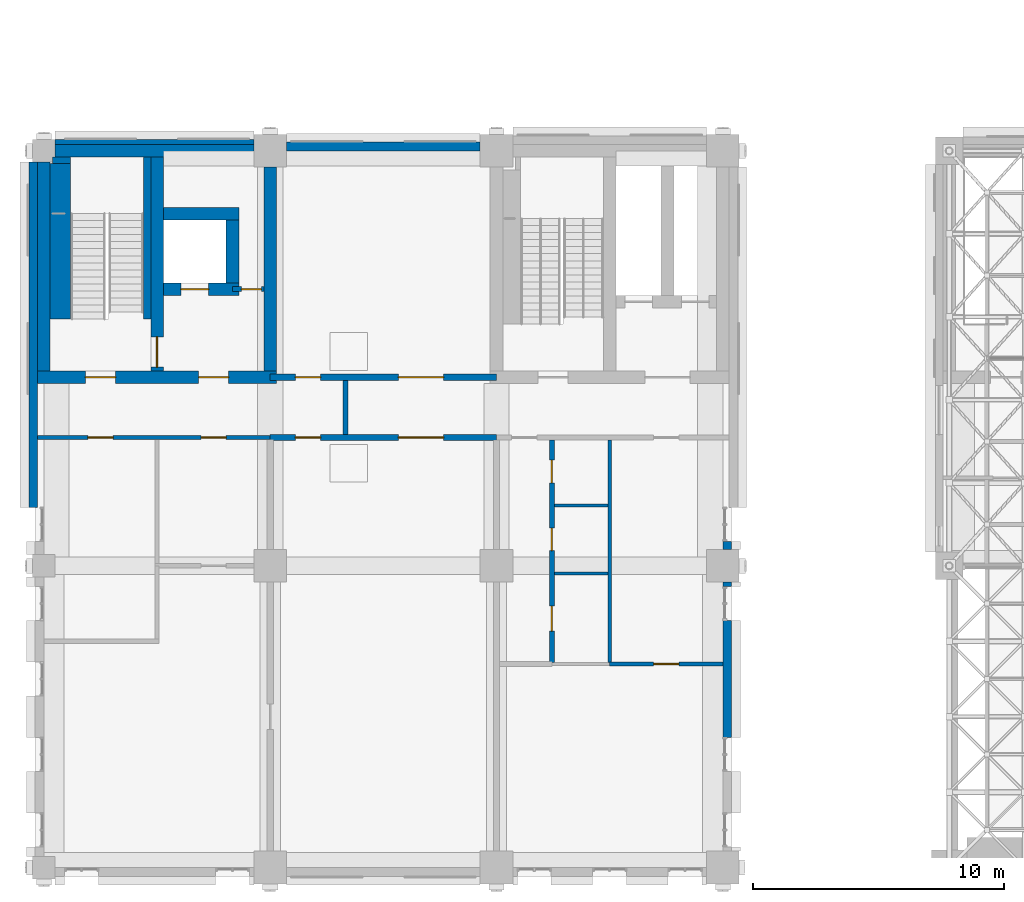
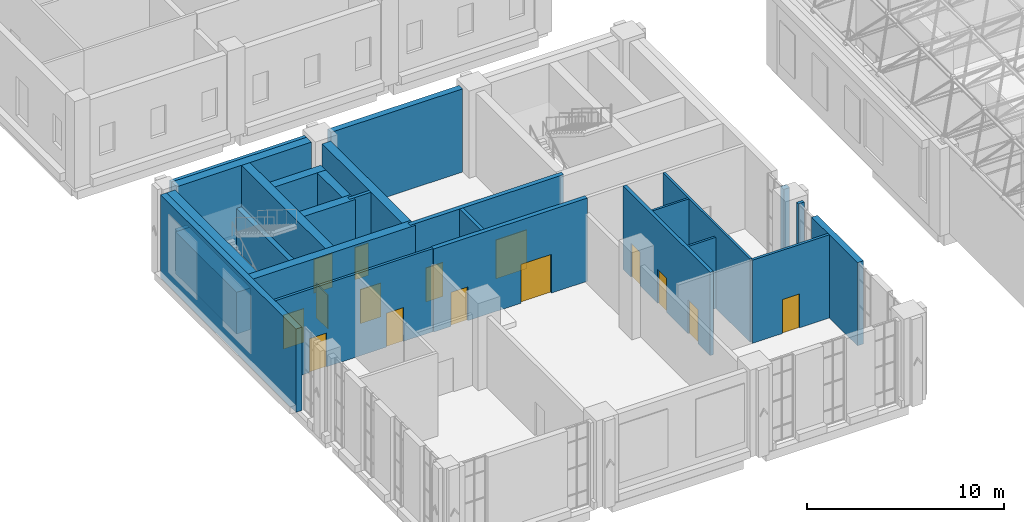
# One storey, part 26 of 53: 27 walls, 15 doors, 15 openings.
"""IFC4 building model written with IfcOpenShell, lengths in metres."""

import ifcopenshell
import ifcopenshell.guid

model = None  # the IFC model being written
_history = None  # IfcOwnerHistory: only IFC2X3 demands one
_inside = {}  # id of a spatial element -> (the spatial element, [elements in it])
_under = {}  # id of a project, library or spatial element -> (it, [spatial elements below it])
_declared = {}  # id of a project -> (the project, [libraries it declares])
_typed = {}  # id of a type object -> (the type object, [elements of that type])
_made_of = {}  # id of a material, layer set ... -> (it, [elements and type objects made of it])


def new_model(schema):
    """Start an empty IFC model of exactly this schema.

    Asked for "IFC4X3", IfcOpenShell would pick the latest addendum, in which some entities
    have other attributes; the version numbers below select the first issue.
    IFC2X3 requires an IfcOwnerHistory on every rooted entity: one is made here for all.
    """
    global model, _history
    if schema == "IFC4X3":
        model = ifcopenshell.file(schema_version=(4, 3, 0, 0))
    else:
        model = ifcopenshell.file(schema=schema)
    _inside.clear()
    _under.clear()
    _declared.clear()
    _typed.clear()
    _made_of.clear()
    _history = None
    if model.schema == "IFC2X3":
        org = make("IfcOrganization", Name="unknown")
        user = make(
            "IfcPersonAndOrganization",
            ThePerson=make("IfcPerson", FamilyName="unknown"),
            TheOrganization=org,
        )
        app = make(
            "IfcApplication",
            ApplicationDeveloper=org,
            Version="unknown",
            ApplicationFullName="unknown",
            ApplicationIdentifier="unknown",
        )
        _history = make(
            "IfcOwnerHistory",
            OwningUser=user,
            OwningApplication=app,
            ChangeAction="ADDED",
            CreationDate=0,
        )
    return model


def make(cls, **values):
    """One entity of the class cls with the attributes given. An attribute that is None is left unset."""
    return model.create_entity(
        cls, **{name: value for name, value in values.items() if value is not None}
    )


def rooted(cls, **values):
    """An entity with a GlobalId (a new one), such as an element, a storey or a relation."""
    return make(cls, GlobalId=ifcopenshell.guid.new(), OwnerHistory=_history, **values)


def si_unit(unit_type, name, prefix=None):
    """IfcSIUnit, for example si_unit("LENGTHUNIT", "METRE", prefix="MILLI")."""
    return make("IfcSIUnit", UnitType=unit_type, Prefix=prefix, Name=name)


def assignment(units):
    """IfcUnitAssignment: the units of a project."""
    return None if units is None else make("IfcUnitAssignment", Units=units)


def point(xyz):
    """IfcCartesianPoint."""
    return None if xyz is None else make("IfcCartesianPoint", Coordinates=xyz)


def direction(xyz):
    """IfcDirection."""
    return None if xyz is None else make("IfcDirection", DirectionRatios=xyz)


def frame(location, z_axis=None, x_axis=None):
    """IfcAxis2Placement3D, a coordinate frame: its origin and axes. An axis left out is left unset."""
    return make(
        "IfcAxis2Placement3D",
        Location=point(location),
        Axis=direction(z_axis),
        RefDirection=direction(x_axis),
    )


def frame_2d(location, x_axis=None):
    """IfcAxis2Placement2D, a coordinate frame in the plane: its origin and x axis."""
    return make(
        "IfcAxis2Placement2D", Location=point(location), RefDirection=direction(x_axis)
    )


def origin():
    """The frame at (0, 0, 0) with its axes left unset."""
    return frame((0.0, 0.0, 0.0))


def place(relative_to, where):
    """IfcLocalPlacement: puts the frame where relative to a parent placement (None: the world)."""
    return make(
        "IfcLocalPlacement", PlacementRelTo=relative_to, RelativePlacement=where
    )


def context(
    kind, dimensions, precision=None, world=None, true_north=None, identifier=None
):
    """IfcGeometricRepresentationContext, for example the 3D "Model" context."""
    return make(
        "IfcGeometricRepresentationContext",
        ContextIdentifier=identifier,
        ContextType=kind,
        CoordinateSpaceDimension=dimensions,
        Precision=precision,
        WorldCoordinateSystem=world,
        TrueNorth=true_north,
    )


def subcontext(parent, identifier, kind, view, scale=None):
    """IfcGeometricRepresentationSubContext, for example "Body" below "Model"."""
    return make(
        "IfcGeometricRepresentationSubContext",
        ContextIdentifier=identifier,
        ContextType=kind,
        ParentContext=parent,
        TargetScale=scale,
        TargetView=view,
    )


def project(units=None, contexts=None):
    """IfcProject with its units and contexts."""
    return rooted(
        "IfcProject",
        Name="project",
        RepresentationContexts=contexts,
        UnitsInContext=assignment(units),
    )


def spatial(cls, under=None, at=None, **own):
    """A site, building, storey or space (cls), placed at a placement, below another one or the project."""
    s = rooted(cls, ObjectPlacement=at, **own)
    if under is not None:
        _under.setdefault(under.id(), (under, []))[1].append(s)
    return s


def profile(cls, at=None, kind="AREA", **sizes):
    """A parametric profile (cls). Its sizes go by their IFC names, for example OverallWidth=200.0."""
    return make(cls, ProfileType=kind, Position=at, **sizes)


def rectangle(**sizes):
    """IfcRectangleProfileDef."""
    return profile("IfcRectangleProfileDef", **sizes)


def extrude(swept, where, along, depth):
    """IfcExtrudedAreaSolid: the profile swept, set in the frame where, extruded along a direction by depth."""
    return make(
        "IfcExtrudedAreaSolid",
        SweptArea=swept,
        Position=where,
        ExtrudedDirection=direction(along),
        Depth=depth,
    )


def shape(context_of_items, identifier, shape_type, items):
    """IfcShapeRepresentation: the items that make up one representation, for example the "Body"."""
    return make(
        "IfcShapeRepresentation",
        ContextOfItems=context_of_items,
        RepresentationIdentifier=identifier,
        RepresentationType=shape_type,
        Items=items,
    )


def material(Name=None, Category=None):
    """IfcMaterial."""
    return make("IfcMaterial", Name=Name, Category=Category)


def layer(
    of_material, thickness, ventilated=None, Name=None, Category=None, Priority=None
):
    """IfcMaterialLayer: one layer of a wall or slab, of a material (None: an air gap)."""
    return make(
        "IfcMaterialLayer",
        Material=of_material,
        LayerThickness=thickness,
        IsVentilated=ventilated,
        Name=Name,
        Category=Category,
        Priority=Priority,
    )


def layer_set(layers, Name=None):
    """IfcMaterialLayerSet."""
    return make("IfcMaterialLayerSet", MaterialLayers=layers, LayerSetName=Name)


def made_of(thing, what):
    """Note that an element or type object is made of a material, layer set ...; save() writes the relation."""
    if what is not None:
        _made_of.setdefault(what.id(), (what, []))[1].append(thing)
    return thing


def type_object(cls, material=None, **own):
    """A type object (cls), such as IfcWallType, which elements share."""
    return made_of(rooted(cls, **own), material)


def element(
    cls,
    number,
    at=None,
    inside=None,
    cuts=None,
    type_object=None,
    material=None,
    context=None,
    identifier="Body",
    shape_type=None,
    held_by="IfcProductDefinitionShape",
    body=None,
    shapes=None,
    **own,
):
    """One element of the class cls, such as IfcWall. Its Tag is "e" and its number.

    at: its placement. inside: the storey or other place that contains it. cuts: it is an
    opening in that element (IfcRelVoidsElement). A single representation is given by context,
    identifier, shape_type and body (its items); several are given by shapes. held_by: the class
    of the entity that holds the representations. save() writes the other relations.
    """
    e = rooted(cls, Tag="e%d" % number, ObjectPlacement=at, **own)
    if body is not None:
        shapes = [shape(context, identifier, shape_type, body)]
    if shapes is not None:
        e.Representation = make(held_by, Representations=shapes)
    if inside is not None:
        _inside.setdefault(inside.id(), (inside, []))[1].append(e)
    if cuts is not None:
        rooted(
            "IfcRelVoidsElement", RelatingBuildingElement=cuts, RelatedOpeningElement=e
        )
    if type_object is not None:
        _typed.setdefault(type_object.id(), (type_object, []))[1].append(e)
    return made_of(e, material)


def fill(opening, filler):
    """IfcRelFillsElement: the door or window that sits in an opening."""
    return rooted(
        "IfcRelFillsElement",
        RelatingOpeningElement=opening,
        RelatedBuildingElement=filler,
    )


def aggregate(whole, parts):
    """IfcRelAggregates: a whole, such as a stair, and the parts it consists of."""
    return rooted("IfcRelAggregates", RelatingObject=whole, RelatedObjects=parts)


def save(model, path):
    """Write the relations noted so far, then the file.

    IfcRelAggregates (storeys below a building ...), IfcRelContainedInSpatialStructure (elements
    in a storey), IfcRelDefinesByType, IfcRelAssociatesMaterial and IfcRelDeclares: one each for
    every whole, place, type object, material and project.
    """
    for whole, parts in _under.values():
        aggregate(whole, parts)
    for where, things in _inside.values():
        rooted(
            "IfcRelContainedInSpatialStructure",
            RelatedElements=things,
            RelatingStructure=where,
        )
    for kind, things in _typed.values():
        rooted("IfcRelDefinesByType", RelatedObjects=things, RelatingType=kind)
    for what, things in _made_of.values():
        rooted("IfcRelAssociatesMaterial", RelatedObjects=things, RelatingMaterial=what)
    for by, libraries in _declared.values():
        rooted("IfcRelDeclares", RelatingContext=by, RelatedDefinitions=libraries)
    model.write(path)


model = new_model("IFC4")

# Units and contexts
model_context = context("Model", 3, precision=1e-05, world=origin(), true_north=direction((0.0, 1.0)))
body_context = subcontext(model_context, "Body", "Model", "MODEL_VIEW")
ifc_project = project(units=[si_unit("LENGTHUNIT", "METRE"), si_unit("AREAUNIT", "SQUARE_METRE"), si_unit("VOLUMEUNIT", "CUBIC_METRE"), si_unit("PLANEANGLEUNIT", "RADIAN"), si_unit("MASSUNIT", "GRAM", prefix="KILO")], contexts=[model_context])

# Site, building, storey
site_placement = place(None, origin())
site = spatial("IfcSite", under=ifc_project, at=site_placement, CompositionType="ELEMENT")
building_placement = place(site_placement, origin())
building = spatial("IfcBuilding", under=site, at=building_placement, Name="Aurelan Courthouse", CompositionType="ELEMENT")
storey_placement = place(building_placement, frame((0.0, 0.0, 12.0)))
storey = spatial("IfcBuildingStorey", under=building, at=storey_placement, Name="L02", CompositionType="ELEMENT", Elevation=12.0)

# Wall, openings, doors
ifc_material_1 = material(Name="Gypsum board on metal studs")
ifc_layer_1 = layer(ifc_material_1, 0.14990234375)
ifc_layer_set_1 = layer_set([ifc_layer_1], Name="Gypsum board on metal studs")
wall_type_1 = type_object("IfcWallType", Name="Corridor partition 150 EI 60", PredefinedType="PARTITIONING", material=ifc_layer_set_1)
wall_1_placement = place(storey_placement, frame((-0.25, 17.10009765625, 0.0), z_axis=(0.0, 0.0, 1.0), x_axis=(1.0, 0.0, 0.0)))
wall_1 = element("IfcWall", 1, at=wall_1_placement, inside=storey, type_object=wall_type_1, Name="Corridor partition L02-010", PredefinedType="PARTITIONING", context=body_context, shape_type="SweptSolid", body=[
    extrude(rectangle(XDim=9.25, YDim=0.14990234375, at=frame_2d((4.625, 0.0))), origin(), (0.0, 0.0, 1.0), 5.14990234375),
])
opening_1_placement = place(wall_1_placement, frame((3.0, 0.0, 0.0), z_axis=(0.0, 0.0, 1.0), x_axis=(-1.0, 0.0, 0.0)))
opening_1 = element("IfcOpeningElement", 2, at=opening_1_placement, cuts=wall_1, Name="Opening D-L02-063", PredefinedType="OPENING", context=body_context, shape_type="SweptSolid", body=[
    extrude(rectangle(XDim=1.0, YDim=2.10009765625, at=frame_2d((0.5, 1.050048828125))), frame((0.0, 0.0849609375, 0.0), z_axis=(0.0, -1.0, 0.0), x_axis=(1.0, 0.0, 0.0)), (0.0, 0.0, 1.0), 0.169921875),
])
opening_2_placement = place(wall_1_placement, frame((7.5, 0.0, 0.0), z_axis=(0.0, 0.0, 1.0), x_axis=(-1.0, 0.0, 0.0)))
opening_2 = element("IfcOpeningElement", 3, at=opening_2_placement, cuts=wall_1, Name="Opening D-L02-064", PredefinedType="OPENING", context=body_context, shape_type="SweptSolid", body=[
    extrude(rectangle(XDim=1.0, YDim=2.10009765625, at=frame_2d((0.5, 1.050048828125))), frame((0.0, 0.0849609375, 0.0), z_axis=(0.0, -1.0, 0.0), x_axis=(1.0, 0.0, 0.0)), (0.0, 0.0, 1.0), 0.169921875),
])
ifc_material_2 = material(Name="Steel", Category="steel")
door_type_1 = type_object("IfcDoorType", Name="Single door 1000 x 2100 FD60", OperationType="SINGLE_SWING_LEFT", PredefinedType="DOOR", material=ifc_material_2)
door_1_placement = place(opening_1_placement, origin())
door_1 = element("IfcDoor", 4, at=door_1_placement, inside=storey, type_object=door_type_1, Name="Single door D-L02-063", OperationType="SINGLE_SWING_LEFT", OverallHeight=2.10009765625, OverallWidth=1.0, PredefinedType="DOOR", context=body_context, shape_type="SweptSolid", body=[
    extrude(rectangle(XDim=1.0, YDim=2.10009765625, at=frame_2d((0.5, 1.050048828125))), frame((0.0, 0.02490234375, 0.0), z_axis=(0.0, -1.0, 0.0), x_axis=(1.0, 0.0, 0.0)), (0.0, 0.0, 1.0), 0.050048828125),
])
fill(opening_1, door_1)
door_2_placement = place(opening_2_placement, origin())
door_2 = element("IfcDoor", 5, at=door_2_placement, inside=storey, type_object=door_type_1, Name="Single door D-L02-064", OperationType="SINGLE_SWING_RIGHT", OverallHeight=2.10009765625, OverallWidth=1.0, PredefinedType="DOOR", context=body_context, shape_type="SweptSolid", body=[
    extrude(rectangle(XDim=1.0, YDim=2.10009765625, at=frame_2d((0.5, 1.050048828125))), frame((0.0, 0.02490234375, 0.0), z_axis=(0.0, -1.0, 0.0), x_axis=(1.0, 0.0, 0.0)), (0.0, 0.0, 1.0), 0.050048828125),
])
fill(opening_2, door_2)

ifc_material_3 = material(Name="Masonry block", Category="masonry")
ifc_layer_2 = layer(ifc_material_3, 0.25)
ifc_layer_set_2 = layer_set([ifc_layer_2], Name="Masonry block")
wall_type_2 = type_object("IfcWallType", Name="Courtroom wall 250 EI 60", PredefinedType="PARTITIONING", material=ifc_layer_set_2)
wall_2_placement = place(storey_placement, frame((9.0, 17.10009765625, 0.0), z_axis=(0.0, 0.0, 1.0), x_axis=(1.0, 0.0, 0.0)))
wall_2 = element("IfcWall", 6, at=wall_2_placement, inside=storey, type_object=wall_type_2, Name="Courtroom wall L02-011", PredefinedType="PARTITIONING", context=body_context, shape_type="SweptSolid", body=[
    extrude(rectangle(XDim=9.0, YDim=0.25, at=frame_2d((4.5, 0.0))), origin(), (0.0, 0.0, 1.0), 5.14990234375),
])
opening_3_placement = place(wall_2_placement, frame((6.900146484375, 0.0, 0.0), z_axis=(0.0, 0.0, 1.0), x_axis=(-1.0, 0.0, 0.0)))
opening_3 = element("IfcOpeningElement", 7, at=opening_3_placement, cuts=wall_2, Name="Opening D-L02-059", PredefinedType="OPENING", context=body_context, shape_type="SweptSolid", body=[
    extrude(rectangle(XDim=1.800048828125, YDim=2.39990234375, at=frame_2d((0.89990234375, 1.199951171875))), frame((0.0, 0.135009765625, 0.0), z_axis=(0.0, -1.0, 0.0), x_axis=(1.0, 0.0, 0.0)), (0.0, 0.0, 1.0), 0.27001953125),
])
opening_4_placement = place(wall_2_placement, frame((2.0, 0.0, 0.0), z_axis=(0.0, 0.0, 1.0), x_axis=(-1.0, 0.0, 0.0)))
opening_4 = element("IfcOpeningElement", 8, at=opening_4_placement, cuts=wall_2, Name="Opening D-L02-060", PredefinedType="OPENING", context=body_context, shape_type="SweptSolid", body=[
    extrude(rectangle(XDim=1.0, YDim=2.10009765625, at=frame_2d((0.5, 1.050048828125))), frame((0.0, 0.135009765625, 0.0), z_axis=(0.0, -1.0, 0.0), x_axis=(1.0, 0.0, 0.0)), (0.0, 0.0, 1.0), 0.27001953125),
])
door_type_2 = type_object("IfcDoorType", Name="Double door 1800 x 2400 FD30", OperationType="DOUBLE_DOOR_SINGLE_SWING", PredefinedType="DOOR", material=ifc_material_2)
door_3_placement = place(opening_3_placement, origin())
door_3 = element("IfcDoor", 9, at=door_3_placement, inside=storey, type_object=door_type_2, Name="Double door D-L02-059", OperationType="DOUBLE_DOOR_SINGLE_SWING", OverallHeight=2.39990234375, OverallWidth=1.800048828125, PredefinedType="DOOR", context=body_context, shape_type="SweptSolid", body=[
    extrude(rectangle(XDim=1.800048828125, YDim=2.39990234375, at=frame_2d((0.89990234375, 1.199951171875))), frame((0.0, 0.02490234375, 0.0), z_axis=(0.0, -1.0, 0.0), x_axis=(1.0, 0.0, 0.0)), (0.0, 0.0, 1.0), 0.050048828125),
])
fill(opening_3, door_3)
door_type_3 = type_object("IfcDoorType", Name="Single door 1000 x 2100 FD30", OperationType="SINGLE_SWING_LEFT", PredefinedType="DOOR", material=ifc_material_2)
door_4_placement = place(opening_4_placement, origin())
door_4 = element("IfcDoor", 10, at=door_4_placement, inside=storey, type_object=door_type_3, Name="Single door D-L02-060", OperationType="SINGLE_SWING_RIGHT", OverallHeight=2.10009765625, OverallWidth=1.0, PredefinedType="DOOR", context=body_context, shape_type="SweptSolid", body=[
    extrude(rectangle(XDim=1.0, YDim=2.10009765625, at=frame_2d((0.5, 1.050048828125))), frame((0.0, 0.02490234375, 0.0), z_axis=(0.0, -1.0, 0.0), x_axis=(1.0, 0.0, 0.0)), (0.0, 0.0, 1.0), 0.050048828125),
])
fill(opening_4, door_4)

wall_3_placement = place(storey_placement, frame((9.0, 19.5, 0.0), z_axis=(0.0, 0.0, 1.0), x_axis=(1.0, 0.0, 0.0)))
wall_3 = element("IfcWall", 11, at=wall_3_placement, inside=storey, type_object=wall_type_2, Name="Courtroom wall L02-013", PredefinedType="PARTITIONING", context=body_context, shape_type="SweptSolid", body=[
    extrude(rectangle(XDim=9.0, YDim=0.25, at=frame_2d((4.5, 0.0))), origin(), (0.0, 0.0, 1.0), 5.14990234375),
])
opening_5_placement = place(wall_3_placement, frame((5.10009765625, 0.0, 0.0)))
opening_5 = element("IfcOpeningElement", 12, at=opening_5_placement, cuts=wall_3, Name="Opening D-L02-061", PredefinedType="OPENING", context=body_context, shape_type="SweptSolid", body=[
    extrude(rectangle(XDim=1.800048828125, YDim=2.39990234375, at=frame_2d((0.89990234375, 1.199951171875))), frame((0.0, 0.135009765625, 0.0), z_axis=(0.0, -1.0, 0.0), x_axis=(1.0, 0.0, 0.0)), (0.0, 0.0, 1.0), 0.27001953125),
])
opening_6_placement = place(wall_3_placement, frame((1.0, 0.0, 0.0)))
opening_6 = element("IfcOpeningElement", 13, at=opening_6_placement, cuts=wall_3, Name="Opening D-L02-062", PredefinedType="OPENING", context=body_context, shape_type="SweptSolid", body=[
    extrude(rectangle(XDim=1.0, YDim=2.10009765625, at=frame_2d((0.5, 1.050048828125))), frame((0.0, 0.135009765625, 0.0), z_axis=(0.0, -1.0, 0.0), x_axis=(1.0, 0.0, 0.0)), (0.0, 0.0, 1.0), 0.27001953125),
])
door_5_placement = place(opening_5_placement, origin())
door_5 = element("IfcDoor", 14, at=door_5_placement, inside=storey, type_object=door_type_2, Name="Double door D-L02-061", OperationType="DOUBLE_DOOR_SINGLE_SWING", OverallHeight=2.39990234375, OverallWidth=1.800048828125, PredefinedType="DOOR", context=body_context, shape_type="SweptSolid", body=[
    extrude(rectangle(XDim=1.800048828125, YDim=2.39990234375, at=frame_2d((0.89990234375, 1.199951171875))), frame((0.0, 0.02490234375, 0.0), z_axis=(0.0, -1.0, 0.0), x_axis=(1.0, 0.0, 0.0)), (0.0, 0.0, 1.0), 0.050048828125),
])
fill(opening_5, door_5)
door_6_placement = place(opening_6_placement, origin())
door_6 = element("IfcDoor", 15, at=door_6_placement, inside=storey, type_object=door_type_3, Name="Single door D-L02-062", OperationType="SINGLE_SWING_LEFT", OverallHeight=2.10009765625, OverallWidth=1.0, PredefinedType="DOOR", context=body_context, shape_type="SweptSolid", body=[
    extrude(rectangle(XDim=1.0, YDim=2.10009765625, at=frame_2d((0.5, 1.050048828125))), frame((0.0, 0.02490234375, 0.0), z_axis=(0.0, -1.0, 0.0), x_axis=(1.0, 0.0, 0.0)), (0.0, 0.0, 1.0), 0.050048828125),
])
fill(opening_6, door_6)

# Walls
ifc_material_4 = material(Name="Limestone cladding", Category="masonry")
ifc_layer_3 = layer(ifc_material_4, 0.054931640625, Name="Facing")
ifc_material_5 = material(Name="Ventilated cavity")
ifc_layer_4 = layer(ifc_material_5, 0.02490234375, ventilated=True, Name="Ventilated cavity")
ifc_material_6 = material(Name="Mineral wool insulation")
ifc_layer_5 = layer(ifc_material_6, 0.030029296875, Name="Insulation")
ifc_material_7 = material(Name="Concrete C30", Category="concrete")
ifc_layer_6 = layer(ifc_material_7, 0.090087890625, Name="Structure")
ifc_layer_set_3 = layer_set([ifc_layer_3, ifc_layer_4, ifc_layer_5, ifc_layer_6], Name="Concrete C30")
wall_type_3 = type_object("IfcWallType", Name="Courts' Floors stone-faced wall 200", PredefinedType="SOLIDWALL", material=ifc_layer_set_3)
wall_4_placement = place(storey_placement, frame((0.449951171875, 28.85009765625, 0.0), z_axis=(0.0, 0.0, 1.0), x_axis=(1.0, 0.0, 0.0)))
element("IfcWall", 16, at=wall_4_placement, inside=storey, type_object=wall_type_3, Name="Facade wall FW-V5-L02-009", PredefinedType="SOLIDWALL", context=body_context, shape_type="SweptSolid", body=[
    extrude(rectangle(XDim=7.900146484375, YDim=0.199951171875, at=frame_2d((3.9501953125, 0.0))), origin(), (0.0, 0.0, 1.0), 5.14990234375),
])
ifc_layer_7 = layer(ifc_material_4, 0.10009765625, Name="Facing")
ifc_layer_8 = layer(ifc_material_5, 0.02490234375, ventilated=True, Name="Ventilated cavity")
ifc_layer_9 = layer(ifc_material_6, 0.050048828125, Name="Insulation")
ifc_layer_10 = layer(ifc_material_7, 0.175048828125, Name="Structure")
ifc_layer_set_4 = layer_set([ifc_layer_7, ifc_layer_8, ifc_layer_9, ifc_layer_10], Name="Concrete C30")
wall_type_4 = type_object("IfcWallType", Name="Courts' Floors stone-faced wall 350", PredefinedType="SOLIDWALL", material=ifc_layer_set_4)
wall_5_placement = place(storey_placement, frame((9.64990234375, 28.675048828125, 0.0), z_axis=(0.0, 0.0, 1.0), x_axis=(1.0, 0.0, 0.0)))
element("IfcWall", 17, at=wall_5_placement, inside=storey, type_object=wall_type_4, Name="Facade wall FW-V5-L02-010", PredefinedType="SOLIDWALL", context=body_context, shape_type="SweptSolid", body=[
    extrude(rectangle(XDim=7.7001953125, YDim=0.35009765625, at=frame_2d((3.85009765625, 0.0))), origin(), (0.0, 0.0, 1.0), 5.14990234375),
])
wall_6_placement = place(storey_placement, frame((27.175048828125, 5.175048828125, 0.0), z_axis=(0.0, 0.0, 1.0), x_axis=(0.0, 1.0, 0.0)))
element("IfcWall", 18, at=wall_6_placement, inside=storey, type_object=wall_type_4, Name="Facade wall FW-V5-L02-014", PredefinedType="SOLIDWALL", context=body_context, shape_type="SweptSolid", body=[
    extrude(rectangle(XDim=4.64990234375, YDim=0.35009765625, at=frame_2d((2.324951171875, 0.0))), origin(), (0.0, 0.0, 1.0), 5.14990234375),
])
wall_7_placement = place(storey_placement, frame((27.175048828125, 11.175048828125, 0.0), z_axis=(0.0, 0.0, 1.0), x_axis=(0.0, 1.0, 0.0)))
element("IfcWall", 19, at=wall_7_placement, inside=storey, type_object=wall_type_4, Name="Facade wall FW-V5-L02-015", PredefinedType="SOLIDWALL", context=body_context, shape_type="SweptSolid", body=[
    extrude(rectangle(XDim=0.175048828125, YDim=0.35009765625, at=frame_2d((0.08740234375, 0.0))), origin(), (0.0, 0.0, 1.0), 5.14990234375),
])
wall_8_placement = place(storey_placement, frame((27.175048828125, 12.64990234375, 0.0), z_axis=(0.0, 0.0, 1.0), x_axis=(0.0, 1.0, 0.0)))
element("IfcWall", 20, at=wall_8_placement, inside=storey, type_object=wall_type_4, Name="Facade wall FW-V5-L02-016", PredefinedType="SOLIDWALL", context=body_context, shape_type="SweptSolid", body=[
    extrude(rectangle(XDim=0.3251953125, YDim=0.35009765625, at=frame_2d((0.16259765625, 0.0))), origin(), (0.0, 0.0, 1.0), 5.14990234375),
])
wall_9_placement = place(storey_placement, frame((-0.425048828125, 14.324951171875, 0.0), z_axis=(0.0, 0.0, 1.0), x_axis=(0.0, 1.0, 0.0)))
element("IfcWall", 21, at=wall_9_placement, inside=storey, type_object=wall_type_4, Name="Facade wall FW-V5-L02-024", PredefinedType="SOLIDWALL", context=body_context, shape_type="SweptSolid", body=[
    extrude(rectangle(XDim=13.72509765625, YDim=0.35009765625, at=frame_2d((6.862548828125, 0.0))), origin(), (0.0, 0.0, 1.0), 5.14990234375),
])
ifc_layer_11 = layer(ifc_material_3, 0.199951171875)
ifc_layer_set_5 = layer_set([ifc_layer_11], Name="Masonry block")
wall_type_5 = type_object("IfcWallType", Name="Lift lobby wall 200 EI 60", PredefinedType="PARTITIONING", material=ifc_layer_set_5)
wall_10_placement = place(storey_placement, frame((12.0, 17.22509765625, 0.0), z_axis=(0.0, 0.0, 1.0), x_axis=(0.0, 1.0, 0.0)))
element("IfcWall", 22, at=wall_10_placement, inside=storey, type_object=wall_type_5, Name="Lift lobby wall L02-060", PredefinedType="PARTITIONING", context=body_context, shape_type="SweptSolid", body=[
    extrude(rectangle(XDim=2.14990234375, YDim=0.199951171875, at=frame_2d((1.074951171875, 0.0))), origin(), (0.0, 0.0, 1.0), 5.14990234375),
])

# Wall, openings, doors
wall_11_placement = place(storey_placement, frame((20.199951171875, 8.16259765625, 0.0), z_axis=(0.0, 0.0, 1.0), x_axis=(0.0, 1.0, 0.0)))
wall_11 = element("IfcWall", 23, at=wall_11_placement, inside=storey, type_object=wall_type_5, Name="Lift lobby wall L02-064", PredefinedType="PARTITIONING", context=body_context, shape_type="SweptSolid", body=[
    extrude(rectangle(XDim=8.83740234375, YDim=0.199951171875, at=frame_2d((4.418701171875, 0.0))), origin(), (0.0, 0.0, 1.0), 5.14990234375),
])
opening_7_placement = place(wall_11_placement, frame((8.037353515625, 0.0, 0.0), z_axis=(0.0, 0.0, 1.0), x_axis=(-1.0, 0.0, 0.0)))
opening_7 = element("IfcOpeningElement", 24, at=opening_7_placement, cuts=wall_11, Name="Opening D-L02-070", PredefinedType="OPENING", context=body_context, shape_type="SweptSolid", body=[
    extrude(rectangle(XDim=0.89990234375, YDim=2.10009765625, at=frame_2d((0.449951171875, 1.050048828125))), frame((0.0, 0.10986328125, 0.0), z_axis=(0.0, -1.0, 0.0), x_axis=(1.0, 0.0, 0.0)), (0.0, 0.0, 1.0), 0.219970703125),
])
opening_8_placement = place(wall_11_placement, frame((5.33740234375, 0.0, 0.0), z_axis=(0.0, 0.0, 1.0), x_axis=(-1.0, 0.0, 0.0)))
opening_8 = element("IfcOpeningElement", 25, at=opening_8_placement, cuts=wall_11, Name="Opening D-L02-071", PredefinedType="OPENING", context=body_context, shape_type="SweptSolid", body=[
    extrude(rectangle(XDim=0.89990234375, YDim=2.10009765625, at=frame_2d((0.449951171875, 1.050048828125))), frame((0.0, 0.10986328125, 0.0), z_axis=(0.0, -1.0, 0.0), x_axis=(1.0, 0.0, 0.0)), (0.0, 0.0, 1.0), 0.219970703125),
])
opening_9_placement = place(wall_11_placement, frame((2.237548828125, 0.0, 0.0), z_axis=(0.0, 0.0, 1.0), x_axis=(-1.0, 0.0, 0.0)))
opening_9 = element("IfcOpeningElement", 26, at=opening_9_placement, cuts=wall_11, Name="Opening D-L02-072", PredefinedType="OPENING", context=body_context, shape_type="SweptSolid", body=[
    extrude(rectangle(XDim=1.0, YDim=2.10009765625, at=frame_2d((0.5, 1.050048828125))), frame((0.0, 0.10986328125, 0.0), z_axis=(0.0, -1.0, 0.0), x_axis=(1.0, 0.0, 0.0)), (0.0, 0.0, 1.0), 0.219970703125),
])
door_7_placement = place(opening_9_placement, origin())
door_7 = element("IfcDoor", 27, at=door_7_placement, inside=storey, type_object=door_type_1, Name="Single door D-L02-072", OperationType="SINGLE_SWING_RIGHT", OverallHeight=2.10009765625, OverallWidth=1.0, PredefinedType="DOOR", context=body_context, shape_type="SweptSolid", body=[
    extrude(rectangle(XDim=1.0, YDim=2.10009765625, at=frame_2d((0.5, 1.050048828125))), frame((0.0, 0.02490234375, 0.0), z_axis=(0.0, -1.0, 0.0), x_axis=(1.0, 0.0, 0.0)), (0.0, 0.0, 1.0), 0.050048828125),
])
fill(opening_9, door_7)
door_type_4 = type_object("IfcDoorType", Name="Single door 900 x 2100 FD60", OperationType="SINGLE_SWING_LEFT", PredefinedType="DOOR", material=ifc_material_2)
door_8_placement = place(opening_7_placement, origin())
door_8 = element("IfcDoor", 28, at=door_8_placement, inside=storey, type_object=door_type_4, Name="Single door D-L02-070", OperationType="SINGLE_SWING_RIGHT", OverallHeight=2.10009765625, OverallWidth=0.89990234375, PredefinedType="DOOR", context=body_context, shape_type="SweptSolid", body=[
    extrude(rectangle(XDim=0.89990234375, YDim=2.10009765625, at=frame_2d((0.449951171875, 1.050048828125))), frame((0.0, 0.02490234375, 0.0), z_axis=(0.0, -1.0, 0.0), x_axis=(1.0, 0.0, 0.0)), (0.0, 0.0, 1.0), 0.050048828125),
])
fill(opening_7, door_8)
door_9_placement = place(opening_8_placement, origin())
door_9 = element("IfcDoor", 29, at=door_9_placement, inside=storey, type_object=door_type_4, Name="Single door D-L02-071", OperationType="SINGLE_SWING_LEFT", OverallHeight=2.10009765625, OverallWidth=0.89990234375, PredefinedType="DOOR", context=body_context, shape_type="SweptSolid", body=[
    extrude(rectangle(XDim=0.89990234375, YDim=2.10009765625, at=frame_2d((0.449951171875, 1.050048828125))), frame((0.0, 0.02490234375, 0.0), z_axis=(0.0, -1.0, 0.0), x_axis=(1.0, 0.0, 0.0)), (0.0, 0.0, 1.0), 0.050048828125),
])
fill(opening_8, door_9)

# Wall, opening, door
ifc_layer_12 = layer(ifc_material_1, 0.14990234375)
ifc_layer_set_6 = layer_set([ifc_layer_12], Name="Gypsum board on metal studs")
wall_type_6 = type_object("IfcWallType", Name="Partition 150 NOT RATED", PredefinedType="PARTITIONING", material=ifc_layer_set_6)
wall_12_placement = place(storey_placement, frame((22.5, 8.10009765625, 0.0), z_axis=(0.0, 0.0, 1.0), x_axis=(1.0, 0.0, 0.0)))
wall_12 = element("IfcWall", 30, at=wall_12_placement, inside=storey, type_object=wall_type_6, Name="Partition L02-003", PredefinedType="PARTITIONING", context=body_context, shape_type="SweptSolid", body=[
    extrude(rectangle(XDim=4.5, YDim=0.14990234375, at=frame_2d((2.25, 0.0))), origin(), (0.0, 0.0, 1.0), 5.14990234375),
])
opening_10_placement = place(wall_12_placement, frame((2.75, 0.0, 0.0), z_axis=(0.0, 0.0, 1.0), x_axis=(-1.0, 0.0, 0.0)))
opening_10 = element("IfcOpeningElement", 31, at=opening_10_placement, cuts=wall_12, Name="Opening D-L02-069", PredefinedType="OPENING", context=body_context, shape_type="SweptSolid", body=[
    extrude(rectangle(XDim=1.0, YDim=2.10009765625, at=frame_2d((0.5, 1.050048828125))), frame((0.0, 0.0849609375, 0.0), z_axis=(0.0, -1.0, 0.0), x_axis=(1.0, 0.0, 0.0)), (0.0, 0.0, 1.0), 0.169921875),
])
ifc_material_8 = material(Name="Timber", Category="wood")
door_type_5 = type_object("IfcDoorType", Name="Single door 1000 x 2100 NOT RATED", OperationType="SINGLE_SWING_LEFT", PredefinedType="DOOR", material=ifc_material_8)
door_10_placement = place(opening_10_placement, origin())
door_10 = element("IfcDoor", 32, at=door_10_placement, inside=storey, type_object=door_type_5, Name="Single door D-L02-069", OperationType="SINGLE_SWING_LEFT", OverallHeight=2.10009765625, OverallWidth=1.0, PredefinedType="DOOR", context=body_context, shape_type="SweptSolid", body=[
    extrude(rectangle(XDim=1.0, YDim=2.10009765625, at=frame_2d((0.5, 1.050048828125))), frame((0.0, 0.02490234375, 0.0), z_axis=(0.0, -1.0, 0.0), x_axis=(1.0, 0.0, 0.0)), (0.0, 0.0, 1.0), 0.050048828125),
])
fill(opening_10, door_10)

# Wall, openings, doors
ifc_material_9 = material(Name="Concrete C50", Category="concrete")
ifc_layer_13 = layer(ifc_material_9, 0.5)
ifc_layer_set_7 = layer_set([ifc_layer_13], Name="Concrete C50")
wall_type_7 = type_object("IfcWallType", Name="RC shear wall 500", PredefinedType="SHEAR", material=ifc_layer_set_7)
wall_13_placement = place(storey_placement, frame((-0.25, 19.5, 0.0), z_axis=(0.0, 0.0, 1.0), x_axis=(1.0, 0.0, 0.0)))
wall_13 = element("IfcWall", 33, at=wall_13_placement, inside=storey, type_object=wall_type_7, Name="Core wall SW-L02-005", PredefinedType="SHEAR", context=body_context, shape_type="SweptSolid", body=[
    extrude(rectangle(XDim=9.5, YDim=0.5, at=frame_2d((4.75, 0.0))), origin(), (0.0, 0.0, 1.0), 5.14990234375),
])
opening_11_placement = place(wall_13_placement, frame((1.89990234375, 0.0, 0.0)))
opening_11 = element("IfcOpeningElement", 34, at=opening_11_placement, cuts=wall_13, Name="Opening D-L02-050", PredefinedType="OPENING", context=body_context, shape_type="SweptSolid", body=[
    extrude(rectangle(XDim=1.199951171875, YDim=2.10009765625, at=frame_2d((0.60009765625, 1.050048828125))), frame((0.0, 0.260009765625, 0.0), z_axis=(0.0, -1.0, 0.0), x_axis=(1.0, 0.0, 0.0)), (0.0, 0.0, 1.0), 0.52001953125),
])
opening_12_placement = place(wall_13_placement, frame((6.39990234375, 0.0, 0.0)))
opening_12 = element("IfcOpeningElement", 35, at=opening_12_placement, cuts=wall_13, Name="Opening D-L02-052", PredefinedType="OPENING", context=body_context, shape_type="SweptSolid", body=[
    extrude(rectangle(XDim=1.199951171875, YDim=2.10009765625, at=frame_2d((0.60009765625, 1.050048828125))), frame((0.0, 0.260009765625, 0.0), z_axis=(0.0, -1.0, 0.0), x_axis=(1.0, 0.0, 0.0)), (0.0, 0.0, 1.0), 0.52001953125),
])
door_type_6 = type_object("IfcDoorType", Name="Single door 1200 x 2100 FD90", OperationType="SINGLE_SWING_LEFT", PredefinedType="DOOR", material=ifc_material_2)
door_11_placement = place(opening_11_placement, origin())
door_11 = element("IfcDoor", 36, at=door_11_placement, inside=storey, type_object=door_type_6, Name="Single door D-L02-050", OperationType="SINGLE_SWING_LEFT", OverallHeight=2.10009765625, OverallWidth=1.199951171875, PredefinedType="DOOR", context=body_context, shape_type="SweptSolid", body=[
    extrude(rectangle(XDim=1.199951171875, YDim=2.10009765625, at=frame_2d((0.60009765625, 1.050048828125))), frame((0.0, 0.02490234375, 0.0), z_axis=(0.0, -1.0, 0.0), x_axis=(1.0, 0.0, 0.0)), (0.0, 0.0, 1.0), 0.050048828125),
])
fill(opening_11, door_11)
door_12_placement = place(opening_12_placement, origin())
door_12 = element("IfcDoor", 37, at=door_12_placement, inside=storey, type_object=door_type_6, Name="Single door D-L02-052", OperationType="SINGLE_SWING_LEFT", OverallHeight=2.10009765625, OverallWidth=1.199951171875, PredefinedType="DOOR", context=body_context, shape_type="SweptSolid", body=[
    extrude(rectangle(XDim=1.199951171875, YDim=2.10009765625, at=frame_2d((0.60009765625, 1.050048828125))), frame((0.0, 0.02490234375, 0.0), z_axis=(0.0, -1.0, 0.0), x_axis=(1.0, 0.0, 0.0)), (0.0, 0.0, 1.0), 0.050048828125),
])
fill(opening_12, door_12)

# Wall
wall_14_placement = place(storey_placement, frame((0.0, 19.75, 0.0), z_axis=(0.0, 0.0, 1.0), x_axis=(0.0, 1.0, 0.0)))
element("IfcWall", 38, at=wall_14_placement, inside=storey, type_object=wall_type_7, Name="Core wall SW-L02-009", PredefinedType="SHEAR", context=body_context, shape_type="SweptSolid", body=[
    extrude(rectangle(XDim=8.300048828125, YDim=0.5, at=frame_2d((4.14990234375, 0.0))), origin(), (0.0, 0.0, 1.0), 5.14990234375),
])

# Wall, opening, door
wall_15_placement = place(storey_placement, frame((4.5, 19.75, 0.0), z_axis=(0.0, 0.0, 1.0), x_axis=(0.0, 1.0, 0.0)))
wall_15 = element("IfcWall", 39, at=wall_15_placement, inside=storey, type_object=wall_type_7, Name="Core wall SW-L02-010", PredefinedType="SHEAR", context=body_context, shape_type="SweptSolid", body=[
    extrude(rectangle(XDim=8.5, YDim=0.5, at=frame_2d((4.25, 0.0))), origin(), (0.0, 0.0, 1.0), 5.14990234375),
])
opening_13_placement = place(wall_15_placement, frame((0.14990234375, 0.0, 0.0)))
opening_13 = element("IfcOpeningElement", 40, at=opening_13_placement, cuts=wall_15, Name="Opening D-L02-051", PredefinedType="OPENING", context=body_context, shape_type="SweptSolid", body=[
    extrude(rectangle(XDim=1.199951171875, YDim=2.10009765625, at=frame_2d((0.60009765625, 1.050048828125))), frame((0.0, 0.260009765625, 0.0), z_axis=(0.0, -1.0, 0.0), x_axis=(1.0, 0.0, 0.0)), (0.0, 0.0, 1.0), 0.52001953125),
])
door_13_placement = place(opening_13_placement, origin())
door_13 = element("IfcDoor", 41, at=door_13_placement, inside=storey, type_object=door_type_6, Name="Single door D-L02-051", OperationType="SINGLE_SWING_LEFT", OverallHeight=2.10009765625, OverallWidth=1.199951171875, PredefinedType="DOOR", context=body_context, shape_type="SweptSolid", body=[
    extrude(rectangle(XDim=1.199951171875, YDim=2.10009765625, at=frame_2d((0.60009765625, 1.050048828125))), frame((0.0, 0.02490234375, 0.0), z_axis=(0.0, -1.0, 0.0), x_axis=(1.0, 0.0, 0.0)), (0.0, 0.0, 1.0), 0.050048828125),
])
fill(opening_13, door_13)

# Wall
wall_16_placement = place(storey_placement, frame((9.0, 19.75, 0.0), z_axis=(0.0, 0.0, 1.0), x_axis=(0.0, 1.0, 0.0)))
element("IfcWall", 42, at=wall_16_placement, inside=storey, type_object=wall_type_7, Name="Core wall SW-L02-011", PredefinedType="SHEAR", context=body_context, shape_type="SweptSolid", body=[
    extrude(rectangle(XDim=8.10009765625, YDim=0.5, at=frame_2d((4.050048828125, 0.0))), origin(), (0.0, 0.0, 1.0), 5.14990234375),
])

# Wall, opening, door
wall_17_placement = place(storey_placement, frame((4.75, 23.0, 0.0), z_axis=(0.0, 0.0, 1.0), x_axis=(1.0, 0.0, 0.0)))
wall_17 = element("IfcWall", 43, at=wall_17_placement, inside=storey, type_object=wall_type_7, Name="Core wall SW-L02-021", PredefinedType="SHEAR", context=body_context, shape_type="SweptSolid", body=[
    extrude(rectangle(XDim=3.0, YDim=0.5, at=frame_2d((1.5, 0.0))), origin(), (0.0, 0.0, 1.0), 5.14990234375),
])
opening_14_placement = place(wall_17_placement, frame((0.699951171875, 0.0, 0.0)))
opening_14 = element("IfcOpeningElement", 44, at=opening_14_placement, cuts=wall_17, Name="Opening LD-V5-F1-L02", PredefinedType="OPENING", context=body_context, shape_type="SweptSolid", body=[
    extrude(rectangle(XDim=1.10009765625, YDim=2.10009765625, at=frame_2d((0.550048828125, 1.050048828125))), frame((0.0, 0.260009765625, 0.0), z_axis=(0.0, -1.0, 0.0), x_axis=(1.0, 0.0, 0.0)), (0.0, 0.0, 1.0), 0.52001953125),
])
door_type_7 = type_object("IfcDoorType", Name="Lift landing door 1100 x 2100 FD90", OperationType="SLIDING_TO_LEFT", PredefinedType="DOOR", material=ifc_material_2)
door_14_placement = place(opening_14_placement, origin())
door_14 = element("IfcDoor", 45, at=door_14_placement, inside=storey, type_object=door_type_7, Name="Lift landing door LD-V5-F1-L02", OperationType="SLIDING_TO_LEFT", OverallHeight=2.10009765625, OverallWidth=1.10009765625, PredefinedType="DOOR", context=body_context, shape_type="SweptSolid", body=[
    extrude(rectangle(XDim=1.10009765625, YDim=2.10009765625, at=frame_2d((0.550048828125, 1.050048828125))), frame((0.0, 0.02490234375, 0.0), z_axis=(0.0, -1.0, 0.0), x_axis=(1.0, 0.0, 0.0)), (0.0, 0.0, 1.0), 0.050048828125),
])
fill(opening_14, door_14)

# Walls
wall_18_placement = place(storey_placement, frame((7.5, 23.25, 0.0), z_axis=(0.0, 0.0, 1.0), x_axis=(0.0, 1.0, 0.0)))
element("IfcWall", 46, at=wall_18_placement, inside=storey, type_object=wall_type_7, Name="Core wall SW-L02-022", PredefinedType="SHEAR", context=body_context, shape_type="SweptSolid", body=[
    extrude(rectangle(XDim=2.5, YDim=0.5, at=frame_2d((1.25, 0.0))), origin(), (0.0, 0.0, 1.0), 5.14990234375),
])
wall_19_placement = place(storey_placement, frame((4.75, 26.0, 0.0), z_axis=(0.0, 0.0, 1.0), x_axis=(1.0, 0.0, 0.0)))
element("IfcWall", 47, at=wall_19_placement, inside=storey, type_object=wall_type_7, Name="Core wall SW-L02-023", PredefinedType="SHEAR", context=body_context, shape_type="SweptSolid", body=[
    extrude(rectangle(XDim=3.0, YDim=0.5, at=frame_2d((1.5, 0.0))), origin(), (0.0, 0.0, 1.0), 5.14990234375),
])
wall_20_placement = place(storey_placement, frame((0.449951171875, 28.5, 0.0), z_axis=(0.0, 0.0, 1.0), x_axis=(1.0, 0.0, 0.0)))
element("IfcWall", 48, at=wall_20_placement, inside=storey, type_object=wall_type_7, Name="Core wall SW-L02-024", PredefinedType="SHEAR", context=body_context, shape_type="SweptSolid", body=[
    extrude(rectangle(XDim=7.900146484375, YDim=0.5, at=frame_2d((3.9501953125, 0.0))), origin(), (0.0, 0.0, 1.0), 5.14990234375),
])

# Wall, opening, door
ifc_layer_14 = layer(ifc_material_7, 0.199951171875)
ifc_layer_set_8 = layer_set([ifc_layer_14], Name="Concrete C30")
wall_type_8 = type_object("IfcWallType", Name="Shaft wall 200 EI 120 load-bearing", PredefinedType="SHEAR", material=ifc_layer_set_8)
wall_21_placement = place(storey_placement, frame((7.5, 23.0, 0.0), z_axis=(0.0, 0.0, 1.0), x_axis=(1.0, 0.0, 0.0)))
wall_21 = element("IfcWall", 49, at=wall_21_placement, inside=storey, type_object=wall_type_8, Name="Shaft wall L02-014", PredefinedType="SHEAR", context=body_context, shape_type="SweptSolid", body=[
    extrude(rectangle(XDim=1.25, YDim=0.199951171875, at=frame_2d((0.625, 0.0))), origin(), (0.0, 0.0, 1.0), 5.14990234375),
])
opening_15_placement = place(wall_21_placement, frame((1.150146484375, 0.0, 0.0), z_axis=(0.0, 0.0, 1.0), x_axis=(-1.0, 0.0, 0.0)))
opening_15 = element("IfcOpeningElement", 50, at=opening_15_placement, cuts=wall_21, Name="Opening D-L02-054", PredefinedType="OPENING", context=body_context, shape_type="SweptSolid", body=[
    extrude(rectangle(XDim=0.800048828125, YDim=2.0, at=frame_2d((0.39990234375, 1.0))), frame((0.0, 0.10986328125, 0.0), z_axis=(0.0, -1.0, 0.0), x_axis=(1.0, 0.0, 0.0)), (0.0, 0.0, 1.0), 0.219970703125),
])
door_type_8 = type_object("IfcDoorType", Name="Single door 800 x 2000 FD90", OperationType="SINGLE_SWING_LEFT", PredefinedType="DOOR", material=ifc_material_2)
door_15_placement = place(opening_15_placement, origin())
door_15 = element("IfcDoor", 51, at=door_15_placement, inside=storey, type_object=door_type_8, Name="Single door D-L02-054", OperationType="SINGLE_SWING_LEFT", OverallHeight=2.0, OverallWidth=0.800048828125, PredefinedType="DOOR", context=body_context, shape_type="SweptSolid", body=[
    extrude(rectangle(XDim=0.800048828125, YDim=2.0, at=frame_2d((0.39990234375, 1.0))), frame((0.0, 0.02490234375, 0.0), z_axis=(0.0, -1.0, 0.0), x_axis=(1.0, 0.0, 0.0)), (0.0, 0.0, 1.0), 0.050048828125),
])
fill(opening_15, door_15)

# Walls
ifc_layer_15 = layer(ifc_material_7, 0.2900390625)
ifc_layer_set_9 = layer_set([ifc_layer_15], Name="Concrete C30")
wall_type_9 = type_object("IfcWallType", Name="Stair well wall 290 EI 120 load-bearing", PredefinedType="SHEAR", material=ifc_layer_set_9)
wall_22_placement = place(storey_placement, frame((4.10498046875, 21.81005859375, 0.0), z_axis=(0.0, 0.0, 1.0), x_axis=(0.0, 1.0, 0.0)))
element("IfcWall", 52, at=wall_22_placement, inside=storey, type_object=wall_type_9, Name="Stair well wall ST-5B-L02 B", PredefinedType="SHEAR", context=body_context, shape_type="SweptSolid", body=[
    extrude(rectangle(XDim=6.43994140625, YDim=0.2900390625, at=frame_2d((3.219970703125, 0.0))), origin(), (0.0, 0.0, 1.0), 2.587158203125),
])
ifc_layer_16 = layer(ifc_material_7, 0.7099609375)
ifc_layer_set_10 = layer_set([ifc_layer_16], Name="Concrete C30")
wall_type_10 = type_object("IfcWallType", Name="Stair well wall 710 EI 120 load-bearing", PredefinedType="SHEAR", material=ifc_layer_set_10)
wall_23_placement = place(storey_placement, frame((0.705078125, 28.0, 0.0), z_axis=(0.0, 0.0, 1.0), x_axis=(0.0, 1.0, 0.0)))
element("IfcWall", 53, at=wall_23_placement, inside=storey, type_object=wall_type_10, Name="Stair well wall ST-5B-L02 A2", PredefinedType="SHEAR", context=body_context, shape_type="SweptSolid", body=[
    extrude(rectangle(XDim=0.25, YDim=0.7099609375, at=frame_2d((0.125, 0.0))), origin(), (0.0, 0.0, 1.0), 2.587158203125),
])
ifc_layer_17 = layer(ifc_material_7, 0.81005859375)
ifc_layer_set_11 = layer_set([ifc_layer_17], Name="Concrete C30")
wall_type_11 = type_object("IfcWallType", Name="Stair well wall 810 EI 120 load-bearing", PredefinedType="SHEAR", material=ifc_layer_set_11)
wall_24_placement = place(storey_placement, frame((0.655029296875, 21.81005859375, 0.0), z_axis=(0.0, 0.0, 1.0), x_axis=(0.0, 1.0, 0.0)))
element("IfcWall", 54, at=wall_24_placement, inside=storey, type_object=wall_type_11, Name="Stair well wall ST-5B-L02 A", PredefinedType="SHEAR", context=body_context, shape_type="SweptSolid", body=[
    extrude(rectangle(XDim=6.18994140625, YDim=0.81005859375, at=frame_2d((3.094970703125, 0.0))), origin(), (0.0, 0.0, 1.0), 2.587158203125),
])
ifc_material_10 = material(Name="Moisture-resistant board on metal studs")
ifc_layer_18 = layer(ifc_material_10, 0.125)
ifc_layer_set_12 = layer_set([ifc_layer_18], Name="Moisture-resistant board on metal studs")
wall_type_12 = type_object("IfcWallType", Name="Wet-area partition 125 NOT RATED", PredefinedType="PARTITIONING", material=ifc_layer_set_12)
wall_25_placement = place(storey_placement, frame((20.300048828125, 11.699951171875, 0.0), z_axis=(0.0, 0.0, 1.0), x_axis=(1.0, 0.0, 0.0)))
element("IfcWall", 55, at=wall_25_placement, inside=storey, type_object=wall_type_12, Name="Wet-area partition L02-005", PredefinedType="PARTITIONING", context=body_context, shape_type="SweptSolid", body=[
    extrude(rectangle(XDim=2.137451171875, YDim=0.125, at=frame_2d((1.06884765625, 0.0))), origin(), (0.0, 0.0, 1.0), 4.39990234375),
])
wall_26_placement = place(storey_placement, frame((20.300048828125, 14.39990234375, 0.0), z_axis=(0.0, 0.0, 1.0), x_axis=(1.0, 0.0, 0.0)))
element("IfcWall", 56, at=wall_26_placement, inside=storey, type_object=wall_type_12, Name="Wet-area partition L02-008", PredefinedType="PARTITIONING", context=body_context, shape_type="SweptSolid", body=[
    extrude(rectangle(XDim=2.137451171875, YDim=0.125, at=frame_2d((1.06884765625, 0.0))), origin(), (0.0, 0.0, 1.0), 5.14990234375),
])
wall_27_placement = place(storey_placement, frame((22.5, 8.16259765625, 0.0), z_axis=(0.0, 0.0, 1.0), x_axis=(0.0, 1.0, 0.0)))
element("IfcWall", 57, at=wall_27_placement, inside=storey, type_object=wall_type_12, Name="Wet-area partition L02-065", PredefinedType="PARTITIONING", context=body_context, shape_type="SweptSolid", body=[
    extrude(rectangle(XDim=8.83740234375, YDim=0.125, at=frame_2d((4.418701171875, 0.0))), origin(), (0.0, 0.0, 1.0), 5.14990234375),
])

save(model, "model.ifc")
